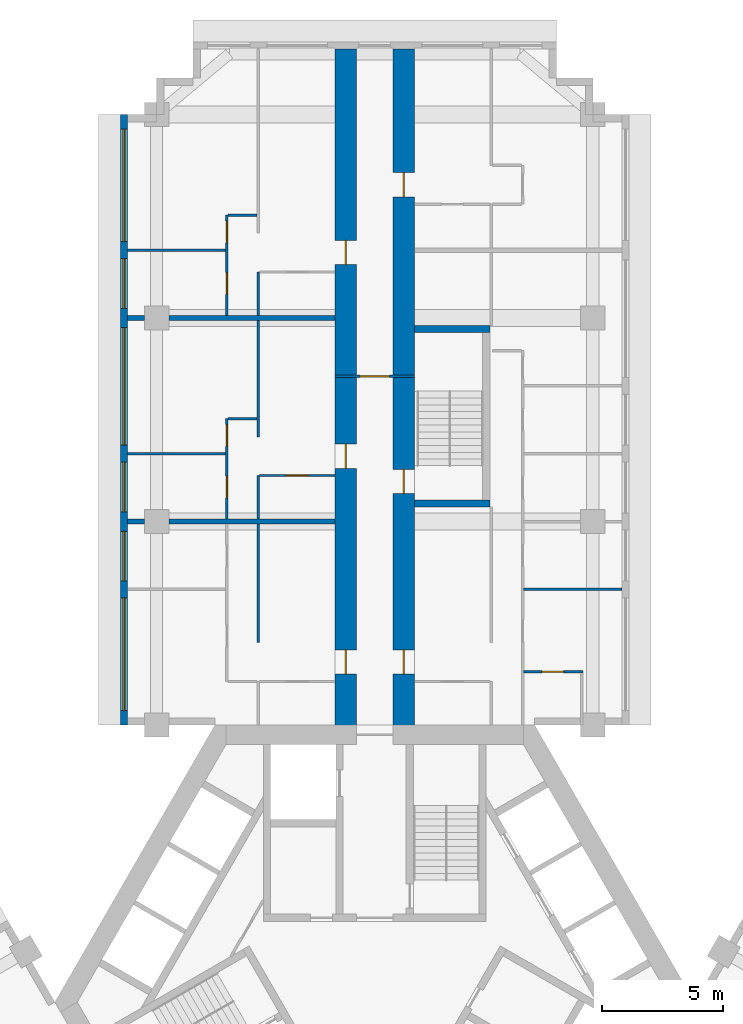
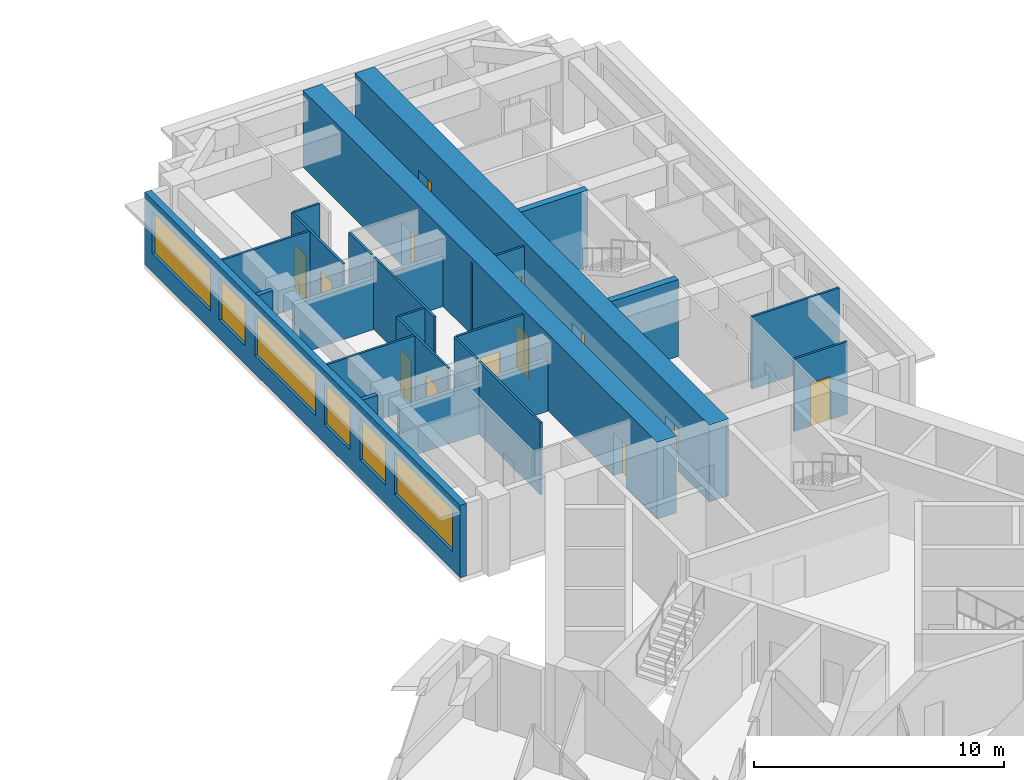
# One storey, part 9 of 14: 23 walls, 13 doors, 6 windows, 19 openings.
"""IFC4 building model written with IfcOpenShell, lengths in metres."""

from ifc_helpers import new_model, si_unit, direction, frame, frame_2d, origin, place, context, subcontext, project, spatial, rectangle, extrude, material, layer, layer_set, type_object, element, fill, save


model = new_model("IFC4")

# Units and contexts
model_context = context("Model", 3, precision=1e-05, world=origin(), true_north=direction((0.0, 1.0)))
body_context = subcontext(model_context, "Body", "Model", "MODEL_VIEW")
ifc_project = project(units=[si_unit("LENGTHUNIT", "METRE"), si_unit("AREAUNIT", "SQUARE_METRE"), si_unit("VOLUMEUNIT", "CUBIC_METRE"), si_unit("PLANEANGLEUNIT", "RADIAN"), si_unit("MASSUNIT", "GRAM", prefix="KILO")], contexts=[model_context])

# Site, building, storey
site_placement = place(None, origin())
site = spatial("IfcSite", under=ifc_project, at=site_placement, CompositionType="ELEMENT")
building_placement = place(site_placement, origin())
building = spatial("IfcBuilding", under=site, at=building_placement, Name="Impinga Residences", CompositionType="ELEMENT")
storey_placement = place(building_placement, frame((0.0, 0.0, 124.75)))
storey = spatial("IfcBuildingStorey", under=building, at=storey_placement, Name="L30", CompositionType="ELEMENT", Elevation=124.75)

# Wall, openings, doors
ifc_material_1 = material(Name="Concrete C60/75", Category="concrete")
ifc_layer_1 = layer(ifc_material_1, 0.89990234375)
ifc_layer_set_1 = layer_set([ifc_layer_1], Name="Concrete C60/75")
wall_type_1 = type_object("IfcWallType", Name="BW2 corridor buttress wall, L24 to L44 900", PredefinedType="SHEAR", material=ifc_layer_set_1)
wall_1_placement = place(storey_placement, frame((-1.199951171875, 11.031494140625, 0.0), z_axis=(0.0, 0.0, 1.0), x_axis=(0.0, 1.0, 0.0)))
wall_1 = element("IfcWall", 1, at=wall_1_placement, inside=storey, type_object=wall_type_1, Name="Corridor wall BW2 NC L30", PredefinedType="SHEAR", context=body_context, shape_type="SweptSolid", body=[
    extrude(rectangle(XDim=28.300048828125, YDim=0.89990234375, at=frame_2d((14.14990234375, 0.0))), origin(), (0.0, 0.0, 1.0), 3.75),
])
opening_1_placement = place(wall_1_placement, frame((2.5, 0.0, 0.0)))
opening_1 = element("IfcOpeningElement", 2, at=opening_1_placement, cuts=wall_1, Name="Opening D1", PredefinedType="OPENING", context=body_context, shape_type="SweptSolid", body=[
    extrude(rectangle(XDim=1.0, YDim=2.10009765625, at=frame_2d((0.5, 1.050048828125))), frame((0.0, 0.4599609375, 0.0), z_axis=(0.0, -1.0, 0.0), x_axis=(1.0, 0.0, 0.0)), (0.0, 0.0, 1.0), 0.919921875),
])
opening_2_placement = place(wall_1_placement, frame((11.0, 0.0, 0.0)))
opening_2 = element("IfcOpeningElement", 3, at=opening_2_placement, cuts=wall_1, Name="Opening D1", PredefinedType="OPENING", context=body_context, shape_type="SweptSolid", body=[
    extrude(rectangle(XDim=1.0, YDim=2.10009765625, at=frame_2d((0.5, 1.050048828125))), frame((0.0, 0.4599609375, 0.0), z_axis=(0.0, -1.0, 0.0), x_axis=(1.0, 0.0, 0.0)), (0.0, 0.0, 1.0), 0.919921875),
])
opening_3_placement = place(wall_1_placement, frame((19.39990234375, 0.0, 0.0)))
opening_3 = element("IfcOpeningElement", 4, at=opening_3_placement, cuts=wall_1, Name="Opening D1", PredefinedType="OPENING", context=body_context, shape_type="SweptSolid", body=[
    extrude(rectangle(XDim=1.0, YDim=2.10009765625, at=frame_2d((0.5, 1.050048828125))), frame((0.0, 0.4599609375, 0.0), z_axis=(0.0, -1.0, 0.0), x_axis=(1.0, 0.0, 0.0)), (0.0, 0.0, 1.0), 0.919921875),
])
ifc_material_2 = material(Name="Timber door set", Category="wood")
door_type_1 = type_object("IfcDoorType", Name="D1 apartment entrance door 1000x2100", OperationType="SINGLE_SWING_LEFT", PredefinedType="DOOR", material=ifc_material_2)
door_1_placement = place(opening_1_placement, origin())
door_1 = element("IfcDoor", 5, at=door_1_placement, inside=storey, type_object=door_type_1, Name="Apartment L30-NA1 entrance", OperationType="SINGLE_SWING_LEFT", OverallHeight=2.10009765625, OverallWidth=1.0, PredefinedType="DOOR", context=body_context, shape_type="SweptSolid", body=[
    extrude(rectangle(XDim=1.0, YDim=2.10009765625, at=frame_2d((0.5, 1.050048828125))), frame((0.0, 0.02490234375, 0.0), z_axis=(0.0, -1.0, 0.0), x_axis=(1.0, 0.0, 0.0)), (0.0, 0.0, 1.0), 0.050048828125),
])
fill(opening_1, door_1)
door_2_placement = place(opening_2_placement, origin())
door_2 = element("IfcDoor", 6, at=door_2_placement, inside=storey, type_object=door_type_1, Name="Apartment L30-NA2 entrance", OperationType="SINGLE_SWING_LEFT", OverallHeight=2.10009765625, OverallWidth=1.0, PredefinedType="DOOR", context=body_context, shape_type="SweptSolid", body=[
    extrude(rectangle(XDim=1.0, YDim=2.10009765625, at=frame_2d((0.5, 1.050048828125))), frame((0.0, 0.02490234375, 0.0), z_axis=(0.0, -1.0, 0.0), x_axis=(1.0, 0.0, 0.0)), (0.0, 0.0, 1.0), 0.050048828125),
])
fill(opening_2, door_2)
door_3_placement = place(opening_3_placement, origin())
door_3 = element("IfcDoor", 7, at=door_3_placement, inside=storey, type_object=door_type_1, Name="Apartment L30-NA3 entrance", OperationType="SINGLE_SWING_RIGHT", OverallHeight=2.10009765625, OverallWidth=1.0, PredefinedType="DOOR", context=body_context, shape_type="SweptSolid", body=[
    extrude(rectangle(XDim=1.0, YDim=2.10009765625, at=frame_2d((0.5, 1.050048828125))), frame((0.0, 0.02490234375, 0.0), z_axis=(0.0, -1.0, 0.0), x_axis=(1.0, 0.0, 0.0)), (0.0, 0.0, 1.0), 0.050048828125),
])
fill(opening_3, door_3)

wall_2_placement = place(storey_placement, frame((1.199951171875, 11.031494140625, 0.0), z_axis=(0.0, 0.0, 1.0), x_axis=(0.0, 1.0, 0.0)))
wall_2 = element("IfcWall", 8, at=wall_2_placement, inside=storey, type_object=wall_type_1, Name="Corridor wall BW2 ND L30", PredefinedType="SHEAR", context=body_context, shape_type="SweptSolid", body=[
    extrude(rectangle(XDim=28.300048828125, YDim=0.89990234375, at=frame_2d((14.14990234375, 0.0))), origin(), (0.0, 0.0, 1.0), 3.75),
])
opening_4_placement = place(wall_2_placement, frame((9.949951171875, 0.0, 0.0)))
opening_4 = element("IfcOpeningElement", 9, at=opening_4_placement, cuts=wall_2, Name="Opening D5", PredefinedType="OPENING", context=body_context, shape_type="SweptSolid", body=[
    extrude(rectangle(XDim=1.0, YDim=2.10009765625, at=frame_2d((0.5, 1.050048828125))), frame((0.0, 0.4599609375, 0.0), z_axis=(0.0, -1.0, 0.0), x_axis=(1.0, 0.0, 0.0)), (0.0, 0.0, 1.0), 0.919921875),
])
opening_5_placement = place(wall_2_placement, frame((2.5, 0.0, 0.0)))
opening_5 = element("IfcOpeningElement", 10, at=opening_5_placement, cuts=wall_2, Name="Opening D1", PredefinedType="OPENING", context=body_context, shape_type="SweptSolid", body=[
    extrude(rectangle(XDim=1.0, YDim=2.10009765625, at=frame_2d((0.5, 1.050048828125))), frame((0.0, 0.4599609375, 0.0), z_axis=(0.0, -1.0, 0.0), x_axis=(1.0, 0.0, 0.0)), (0.0, 0.0, 1.0), 0.919921875),
])
opening_6_placement = place(wall_2_placement, frame((22.199951171875, 0.0, 0.0)))
opening_6 = element("IfcOpeningElement", 11, at=opening_6_placement, cuts=wall_2, Name="Opening D1", PredefinedType="OPENING", context=body_context, shape_type="SweptSolid", body=[
    extrude(rectangle(XDim=1.0, YDim=2.10009765625, at=frame_2d((0.5, 1.050048828125))), frame((0.0, 0.4599609375, 0.0), z_axis=(0.0, -1.0, 0.0), x_axis=(1.0, 0.0, 0.0)), (0.0, 0.0, 1.0), 0.919921875),
])
door_4_placement = place(opening_5_placement, origin())
door_4 = element("IfcDoor", 12, at=door_4_placement, inside=storey, type_object=door_type_1, Name="Apartment L30-NF1 entrance", OperationType="SINGLE_SWING_LEFT", OverallHeight=2.10009765625, OverallWidth=1.0, PredefinedType="DOOR", context=body_context, shape_type="SweptSolid", body=[
    extrude(rectangle(XDim=1.0, YDim=2.10009765625, at=frame_2d((0.5, 1.050048828125))), frame((0.0, 0.02490234375, 0.0), z_axis=(0.0, -1.0, 0.0), x_axis=(1.0, 0.0, 0.0)), (0.0, 0.0, 1.0), 0.050048828125),
])
fill(opening_5, door_4)
door_5_placement = place(opening_6_placement, origin())
door_5 = element("IfcDoor", 13, at=door_5_placement, inside=storey, type_object=door_type_1, Name="Apartment L30-NF2 entrance", OperationType="SINGLE_SWING_RIGHT", OverallHeight=2.10009765625, OverallWidth=1.0, PredefinedType="DOOR", context=body_context, shape_type="SweptSolid", body=[
    extrude(rectangle(XDim=1.0, YDim=2.10009765625, at=frame_2d((0.5, 1.050048828125))), frame((0.0, 0.02490234375, 0.0), z_axis=(0.0, -1.0, 0.0), x_axis=(1.0, 0.0, 0.0)), (0.0, 0.0, 1.0), 0.050048828125),
])
fill(opening_6, door_5)
door_type_2 = type_object("IfcDoorType", Name="D5 stair door 1000x2100", OperationType="SINGLE_SWING_LEFT", PredefinedType="DOOR", material=ifc_material_2)
door_6_placement = place(opening_4_placement, origin())
door_6 = element("IfcDoor", 14, at=door_6_placement, inside=storey, type_object=door_type_2, Name="Wing stair door N", OperationType="SINGLE_SWING_LEFT", OverallHeight=2.10009765625, OverallWidth=1.0, PredefinedType="DOOR", context=body_context, shape_type="SweptSolid", body=[
    extrude(rectangle(XDim=1.0, YDim=2.10009765625, at=frame_2d((0.5, 1.050048828125))), frame((0.0, 0.02490234375, 0.0), z_axis=(0.0, -1.0, 0.0), x_axis=(1.0, 0.0, 0.0)), (0.0, 0.0, 1.0), 0.050048828125),
])
fill(opening_4, door_6)

# Wall, opening, door
ifc_material_3 = material(Name="Concrete blockwork", Category="masonry")
ifc_layer_2 = layer(ifc_material_3, 0.10009765625)
ifc_layer_set_2 = layer_set([ifc_layer_2], Name="CP1 core room partition, blockwork 100")
wall_type_2 = type_object("IfcWallType", Name="CP1 core room partition, blockwork 100", PredefinedType="PARTITIONING", material=ifc_layer_set_2)
wall_3_placement = place(storey_placement, frame((-1.64990234375, 25.83154296875, 0.0), z_axis=(0.0, 0.0, 1.0), x_axis=(1.0, 0.0, 0.0)))
wall_3 = element("IfcWall", 15, at=wall_3_placement, inside=storey, type_object=wall_type_2, Name="Core room partition, blockwork L30:N:PLB", PredefinedType="PARTITIONING", context=body_context, shape_type="SweptSolid", body=[
    extrude(rectangle(XDim=3.2998046875, YDim=0.10009765625, at=frame_2d((1.64990234375, 0.0))), origin(), (0.0, 0.0, 1.0), 3.530029296875),
])
opening_7_placement = place(wall_3_placement, frame((1.050048828125, 0.0, 0.0)))
opening_7 = element("IfcOpeningElement", 16, at=opening_7_placement, cuts=wall_3, Name="Opening D3", PredefinedType="OPENING", context=body_context, shape_type="SweptSolid", body=[
    extrude(rectangle(XDim=1.199951171875, YDim=2.10009765625, at=frame_2d((0.60009765625, 1.050048828125))), frame((0.0, 0.06005859375, 0.0), z_axis=(0.0, -1.0, 0.0), x_axis=(1.0, 0.0, 0.0)), (0.0, 0.0, 1.0), 0.1201171875),
])
door_type_3 = type_object("IfcDoorType", Name="D3 room door, leaf and a half 1200x2100", OperationType="DOUBLE_SWING_LEFT", PredefinedType="DOOR", material=ifc_material_2)
door_7_placement = place(opening_7_placement, origin())
door_7 = element("IfcDoor", 17, at=door_7_placement, inside=storey, type_object=door_type_3, Name="Private lobby door N", OperationType="DOUBLE_SWING_LEFT", OverallHeight=2.10009765625, OverallWidth=1.199951171875, PredefinedType="DOOR", context=body_context, shape_type="SweptSolid", body=[
    extrude(rectangle(XDim=1.199951171875, YDim=2.10009765625, at=frame_2d((0.60009765625, 1.050048828125))), frame((0.0, 0.02490234375, 0.0), z_axis=(0.0, -1.0, 0.0), x_axis=(1.0, 0.0, 0.0)), (0.0, 0.0, 1.0), 0.050048828125),
])
fill(opening_7, door_7)

# Wall, openings, windows
ifc_material_4 = material(Name="Terracotta rainscreen on blockwork", Category="masonry")
ifc_layer_3 = layer(ifc_material_4, 0.300048828125)
ifc_layer_set_3 = layer_set([ifc_layer_3], Name="EW1 external wall, terracotta rainscreen on blockwork 300")
wall_type_3 = type_object("IfcWallType", Name="EW1 external wall, terracotta rainscreen on blockwork 300", PredefinedType="SOLIDWALL", material=ifc_layer_set_3)
wall_4_placement = place(storey_placement, frame((-10.35009765625, 11.431640625, 0.0), z_axis=(0.0, 0.0, 1.0), x_axis=(0.0, 1.0, 0.0)))
wall_4 = element("IfcWall", 18, at=wall_4_placement, inside=storey, type_object=wall_type_3, Name="External wall EW1 L30", PredefinedType="SOLIDWALL", context=body_context, shape_type="SweptSolid", body=[
    extrude(rectangle(XDim=25.199951171875, YDim=0.300048828125, at=frame_2d((12.60009765625, 0.0))), origin(), (0.0, 0.0, 1.0), 3.530029296875),
])
opening_8_placement = place(wall_4_placement, frame((0.60009765625, 0.0, 0.89990234375)))
opening_8 = element("IfcOpeningElement", 19, at=opening_8_placement, cuts=wall_4, Name="Opening W10", PredefinedType="OPENING", context=body_context, shape_type="SweptSolid", body=[
    extrude(rectangle(XDim=4.64990234375, YDim=2.050048828125, at=frame_2d((2.324951171875, 1.02490234375))), frame((0.0, 0.159912109375, 0.0), z_axis=(0.0, -1.0, 0.0), x_axis=(1.0, 0.0, 0.0)), (0.0, 0.0, 1.0), 0.320068359375),
])
opening_9_placement = place(wall_4_placement, frame((5.949951171875, 0.0, 0.89990234375)))
opening_9 = element("IfcOpeningElement", 20, at=opening_9_placement, cuts=wall_4, Name="Opening W14", PredefinedType="OPENING", context=body_context, shape_type="SweptSolid", body=[
    extrude(rectangle(XDim=2.050048828125, YDim=2.050048828125, at=frame_2d((1.02490234375, 1.02490234375))), frame((0.0, 0.159912109375, 0.0), z_axis=(0.0, -1.0, 0.0), x_axis=(1.0, 0.0, 0.0)), (0.0, 0.0, 1.0), 0.320068359375),
])
opening_10_placement = place(wall_4_placement, frame((8.800048828125, 0.0, 0.89990234375)))
opening_10 = element("IfcOpeningElement", 21, at=opening_10_placement, cuts=wall_4, Name="Opening W14", PredefinedType="OPENING", context=body_context, shape_type="SweptSolid", body=[
    extrude(rectangle(XDim=2.050048828125, YDim=2.050048828125, at=frame_2d((1.02490234375, 1.02490234375))), frame((0.0, 0.159912109375, 0.0), z_axis=(0.0, -1.0, 0.0), x_axis=(1.0, 0.0, 0.0)), (0.0, 0.0, 1.0), 0.320068359375),
])
opening_11_placement = place(wall_4_placement, frame((11.550048828125, 0.0, 0.89990234375)))
opening_11 = element("IfcOpeningElement", 22, at=opening_11_placement, cuts=wall_4, Name="Opening W6", PredefinedType="OPENING", context=body_context, shape_type="SweptSolid", body=[
    extrude(rectangle(XDim=4.85009765625, YDim=2.050048828125, at=frame_2d((2.425048828125, 1.02490234375))), frame((0.0, 0.159912109375, 0.0), z_axis=(0.0, -1.0, 0.0), x_axis=(1.0, 0.0, 0.0)), (0.0, 0.0, 1.0), 0.320068359375),
])
opening_12_placement = place(wall_4_placement, frame((17.199951171875, 0.0, 0.89990234375)))
opening_12 = element("IfcOpeningElement", 23, at=opening_12_placement, cuts=wall_4, Name="Opening W14", PredefinedType="OPENING", context=body_context, shape_type="SweptSolid", body=[
    extrude(rectangle(XDim=2.050048828125, YDim=2.050048828125, at=frame_2d((1.02490234375, 1.02490234375))), frame((0.0, 0.159912109375, 0.0), z_axis=(0.0, -1.0, 0.0), x_axis=(1.0, 0.0, 0.0)), (0.0, 0.0, 1.0), 0.320068359375),
])
opening_13_placement = place(wall_4_placement, frame((19.949951171875, 0.0, 0.89990234375)))
opening_13 = element("IfcOpeningElement", 24, at=opening_13_placement, cuts=wall_4, Name="Opening W10", PredefinedType="OPENING", context=body_context, shape_type="SweptSolid", body=[
    extrude(rectangle(XDim=4.64990234375, YDim=2.050048828125, at=frame_2d((2.324951171875, 1.02490234375))), frame((0.0, 0.159912109375, 0.0), z_axis=(0.0, -1.0, 0.0), x_axis=(1.0, 0.0, 0.0)), (0.0, 0.0, 1.0), 0.320068359375),
])
ifc_material_5 = material(Name="Aluminium window, clear double glazing", Category="aluminium")
window_type_1 = type_object("IfcWindowType", Name="W10 ribbon window 4650x2050", PartitioningType="SINGLE_PANEL", PredefinedType="WINDOW", material=ifc_material_5)
window_1_placement = place(opening_8_placement, origin())
window_1 = element("IfcWindow", 25, at=window_1_placement, inside=storey, type_object=window_type_1, Name="Window L30", OverallHeight=2.050048828125, OverallWidth=4.64990234375, PartitioningType="SINGLE_PANEL", PredefinedType="WINDOW", context=body_context, shape_type="SweptSolid", body=[
    extrude(rectangle(XDim=4.64990234375, YDim=2.050048828125, at=frame_2d((2.324951171875, 1.02490234375))), frame((0.0, 0.030029296875, 0.0), z_axis=(0.0, -1.0, 0.0), x_axis=(1.0, 0.0, 0.0)), (0.0, 0.0, 1.0), 0.06005859375),
])
fill(opening_8, window_1)
window_2_placement = place(opening_13_placement, origin())
window_2 = element("IfcWindow", 26, at=window_2_placement, inside=storey, type_object=window_type_1, Name="Window L30", OverallHeight=2.050048828125, OverallWidth=4.64990234375, PartitioningType="SINGLE_PANEL", PredefinedType="WINDOW", context=body_context, shape_type="SweptSolid", body=[
    extrude(rectangle(XDim=4.64990234375, YDim=2.050048828125, at=frame_2d((2.324951171875, 1.02490234375))), frame((0.0, 0.030029296875, 0.0), z_axis=(0.0, -1.0, 0.0), x_axis=(1.0, 0.0, 0.0)), (0.0, 0.0, 1.0), 0.06005859375),
])
fill(opening_13, window_2)
window_type_2 = type_object("IfcWindowType", Name="W14 ribbon window 2050x2050", PartitioningType="SINGLE_PANEL", PredefinedType="WINDOW", material=ifc_material_5)
window_3_placement = place(opening_9_placement, origin())
window_3 = element("IfcWindow", 27, at=window_3_placement, inside=storey, type_object=window_type_2, Name="Window L30", OverallHeight=2.050048828125, OverallWidth=2.050048828125, PartitioningType="SINGLE_PANEL", PredefinedType="WINDOW", context=body_context, shape_type="SweptSolid", body=[
    extrude(rectangle(XDim=2.050048828125, YDim=2.050048828125, at=frame_2d((1.02490234375, 1.02490234375))), frame((0.0, 0.030029296875, 0.0), z_axis=(0.0, -1.0, 0.0), x_axis=(1.0, 0.0, 0.0)), (0.0, 0.0, 1.0), 0.06005859375),
])
fill(opening_9, window_3)
window_4_placement = place(opening_10_placement, origin())
window_4 = element("IfcWindow", 28, at=window_4_placement, inside=storey, type_object=window_type_2, Name="Window L30", OverallHeight=2.050048828125, OverallWidth=2.050048828125, PartitioningType="SINGLE_PANEL", PredefinedType="WINDOW", context=body_context, shape_type="SweptSolid", body=[
    extrude(rectangle(XDim=2.050048828125, YDim=2.050048828125, at=frame_2d((1.02490234375, 1.02490234375))), frame((0.0, 0.030029296875, 0.0), z_axis=(0.0, -1.0, 0.0), x_axis=(1.0, 0.0, 0.0)), (0.0, 0.0, 1.0), 0.06005859375),
])
fill(opening_10, window_4)
window_5_placement = place(opening_12_placement, origin())
window_5 = element("IfcWindow", 29, at=window_5_placement, inside=storey, type_object=window_type_2, Name="Window L30", OverallHeight=2.050048828125, OverallWidth=2.050048828125, PartitioningType="SINGLE_PANEL", PredefinedType="WINDOW", context=body_context, shape_type="SweptSolid", body=[
    extrude(rectangle(XDim=2.050048828125, YDim=2.050048828125, at=frame_2d((1.02490234375, 1.02490234375))), frame((0.0, 0.030029296875, 0.0), z_axis=(0.0, -1.0, 0.0), x_axis=(1.0, 0.0, 0.0)), (0.0, 0.0, 1.0), 0.06005859375),
])
fill(opening_12, window_5)
window_type_3 = type_object("IfcWindowType", Name="W6 ribbon window 4850x2050", PartitioningType="SINGLE_PANEL", PredefinedType="WINDOW", material=ifc_material_5)
window_6_placement = place(opening_11_placement, origin())
window_6 = element("IfcWindow", 30, at=window_6_placement, inside=storey, type_object=window_type_3, Name="Window L30", OverallHeight=2.050048828125, OverallWidth=4.85009765625, PartitioningType="SINGLE_PANEL", PredefinedType="WINDOW", context=body_context, shape_type="SweptSolid", body=[
    extrude(rectangle(XDim=4.85009765625, YDim=2.050048828125, at=frame_2d((2.425048828125, 1.02490234375))), frame((0.0, 0.030029296875, 0.0), z_axis=(0.0, -1.0, 0.0), x_axis=(1.0, 0.0, 0.0)), (0.0, 0.0, 1.0), 0.06005859375),
])
fill(opening_11, window_6)

# Walls
ifc_material_6 = material(Name="Gypsum board on steel studs", Category="steel")
ifc_layer_4 = layer(ifc_material_6, 0.10009765625)
ifc_layer_set_4 = layer_set([ifc_layer_4], Name="Gypsum board on steel studs")
wall_type_4 = type_object("IfcWallType", Name="IP1 partition 100", PredefinedType="PARTITIONING", material=ifc_layer_set_4)
wall_5_placement = place(storey_placement, frame((-4.800048828125, 14.83154296875, 0.0), z_axis=(0.0, 0.0, 1.0), x_axis=(0.0, 1.0, 0.0)))
element("IfcWall", 31, at=wall_5_placement, inside=storey, type_object=wall_type_4, Name="Partition L30-NA1:DIV1", PredefinedType="PARTITIONING", context=body_context, shape_type="SweptSolid", body=[
    extrude(rectangle(XDim=4.89990234375, YDim=0.10009765625, at=frame_2d((2.449951171875, 0.0))), origin(), (0.0, 0.0, 1.0), 3.530029296875),
])
wall_6_placement = place(storey_placement, frame((-4.800048828125, 19.931640625, 0.0), z_axis=(0.0, 0.0, 1.0), x_axis=(0.0, 1.0, 0.0)))
element("IfcWall", 32, at=wall_6_placement, inside=storey, type_object=wall_type_4, Name="Partition L30-NA2:DIV0", PredefinedType="PARTITIONING", context=body_context, shape_type="SweptSolid", body=[
    extrude(rectangle(XDim=1.7998046875, YDim=0.10009765625, at=frame_2d((0.89990234375, 0.0))), origin(), (0.0, 0.0, 1.0), 3.530029296875),
])
wall_7_placement = place(storey_placement, frame((-4.800048828125, 23.33154296875, 0.0), z_axis=(0.0, 0.0, 1.0), x_axis=(0.0, 1.0, 0.0)))
element("IfcWall", 33, at=wall_7_placement, inside=storey, type_object=wall_type_4, Name="Partition L30-NA2:DIV1", PredefinedType="PARTITIONING", context=body_context, shape_type="SweptSolid", body=[
    extrude(rectangle(XDim=4.800048828125, YDim=0.10009765625, at=frame_2d((2.39990234375, 0.0))), origin(), (0.0, 0.0, 1.0), 3.530029296875),
])

# Wall, openings, doors
wall_8_placement = place(storey_placement, frame((-6.10009765625, 19.931640625, 0.0), z_axis=(0.0, 0.0, 1.0), x_axis=(0.0, 1.0, 0.0)))
wall_8 = element("IfcWall", 34, at=wall_8_placement, inside=storey, type_object=wall_type_4, Name="Partition L30-NA2:STRIP", PredefinedType="PARTITIONING", context=body_context, shape_type="SweptSolid", body=[
    extrude(rectangle(XDim=4.14990234375, YDim=0.10009765625, at=frame_2d((2.074951171875, 0.0))), origin(), (0.0, 0.0, 1.0), 3.530029296875),
])
opening_14_placement = place(wall_8_placement, frame((0.875, 0.0, 0.0)))
opening_14 = element("IfcOpeningElement", 35, at=opening_14_placement, cuts=wall_8, Name="Opening D2", PredefinedType="OPENING", context=body_context, shape_type="SweptSolid", body=[
    extrude(rectangle(XDim=0.89990234375, YDim=2.10009765625, at=frame_2d((0.449951171875, 1.050048828125))), frame((0.0, 0.06005859375, 0.0), z_axis=(0.0, -1.0, 0.0), x_axis=(1.0, 0.0, 0.0)), (0.0, 0.0, 1.0), 0.1201171875),
])
opening_15_placement = place(wall_8_placement, frame((3.0, 0.0, 0.0)))
opening_15 = element("IfcOpeningElement", 36, at=opening_15_placement, cuts=wall_8, Name="Opening D2", PredefinedType="OPENING", context=body_context, shape_type="SweptSolid", body=[
    extrude(rectangle(XDim=0.89990234375, YDim=2.10009765625, at=frame_2d((0.449951171875, 1.050048828125))), frame((0.0, 0.06005859375, 0.0), z_axis=(0.0, -1.0, 0.0), x_axis=(1.0, 0.0, 0.0)), (0.0, 0.0, 1.0), 0.1201171875),
])
door_type_4 = type_object("IfcDoorType", Name="D2 internal door 900x2100", OperationType="SINGLE_SWING_LEFT", PredefinedType="DOOR", material=ifc_material_2)
door_8_placement = place(opening_14_placement, origin())
door_8 = element("IfcDoor", 37, at=door_8_placement, inside=storey, type_object=door_type_4, Name="Apartment L30-NA2 room door", OperationType="SINGLE_SWING_LEFT", OverallHeight=2.10009765625, OverallWidth=0.89990234375, PredefinedType="DOOR", context=body_context, shape_type="SweptSolid", body=[
    extrude(rectangle(XDim=0.89990234375, YDim=2.10009765625, at=frame_2d((0.449951171875, 1.050048828125))), frame((0.0, 0.02490234375, 0.0), z_axis=(0.0, -1.0, 0.0), x_axis=(1.0, 0.0, 0.0)), (0.0, 0.0, 1.0), 0.050048828125),
])
fill(opening_14, door_8)
door_9_placement = place(opening_15_placement, origin())
door_9 = element("IfcDoor", 38, at=door_9_placement, inside=storey, type_object=door_type_4, Name="Apartment L30-NA2 room door", OperationType="SINGLE_SWING_RIGHT", OverallHeight=2.10009765625, OverallWidth=0.89990234375, PredefinedType="DOOR", context=body_context, shape_type="SweptSolid", body=[
    extrude(rectangle(XDim=0.89990234375, YDim=2.10009765625, at=frame_2d((0.449951171875, 1.050048828125))), frame((0.0, 0.02490234375, 0.0), z_axis=(0.0, -1.0, 0.0), x_axis=(1.0, 0.0, 0.0)), (0.0, 0.0, 1.0), 0.050048828125),
])
fill(opening_15, door_9)

# Wall
wall_9_placement = place(storey_placement, frame((-4.85009765625, 24.08154296875, 0.0), z_axis=(0.0, 0.0, 1.0), x_axis=(-1.0, 0.0, 0.0)))
element("IfcWall", 39, at=wall_9_placement, inside=storey, type_object=wall_type_4, Name="Partition L30-NA2:SE1", PredefinedType="PARTITIONING", context=body_context, shape_type="SweptSolid", body=[
    extrude(rectangle(XDim=1.199951171875, YDim=0.10009765625, at=frame_2d((0.60009765625, 0.0))), origin(), (0.0, 0.0, 1.0), 3.530029296875),
])

# Wall, opening, door
wall_10_placement = place(storey_placement, frame((-1.64990234375, 21.7314453125, 0.0), z_axis=(0.0, 0.0, 1.0), x_axis=(-1.0, 0.0, 0.0)))
wall_10 = element("IfcWall", 40, at=wall_10_placement, inside=storey, type_object=wall_type_4, Name="Partition L30-NA2:IB1", PredefinedType="PARTITIONING", context=body_context, shape_type="SweptSolid", body=[
    extrude(rectangle(XDim=3.10009765625, YDim=0.10009765625, at=frame_2d((1.550048828125, 0.0))), origin(), (0.0, 0.0, 1.0), 3.530029296875),
])
opening_16_placement = place(wall_10_placement, frame((1.10009765625, 0.0, 0.0)))
opening_16 = element("IfcOpeningElement", 41, at=opening_16_placement, cuts=wall_10, Name="Opening D2", PredefinedType="OPENING", context=body_context, shape_type="SweptSolid", body=[
    extrude(rectangle(XDim=0.89990234375, YDim=2.10009765625, at=frame_2d((0.449951171875, 1.050048828125))), frame((0.0, 0.06005859375, 0.0), z_axis=(0.0, -1.0, 0.0), x_axis=(1.0, 0.0, 0.0)), (0.0, 0.0, 1.0), 0.1201171875),
])
door_10_placement = place(opening_16_placement, origin())
door_10 = element("IfcDoor", 42, at=door_10_placement, inside=storey, type_object=door_type_4, Name="Apartment L30-NA2 bathroom door", OperationType="SINGLE_SWING_LEFT", OverallHeight=2.10009765625, OverallWidth=0.89990234375, PredefinedType="DOOR", context=body_context, shape_type="SweptSolid", body=[
    extrude(rectangle(XDim=0.89990234375, YDim=2.10009765625, at=frame_2d((0.449951171875, 1.050048828125))), frame((0.0, 0.02490234375, 0.0), z_axis=(0.0, -1.0, 0.0), x_axis=(1.0, 0.0, 0.0)), (0.0, 0.0, 1.0), 0.050048828125),
])
fill(opening_16, door_10)

# Walls
wall_11_placement = place(storey_placement, frame((-6.14990234375, 22.631591796875, 0.0), z_axis=(0.0, 0.0, 1.0), x_axis=(-1.0, 0.0, 0.0)))
element("IfcWall", 43, at=wall_11_placement, inside=storey, type_object=wall_type_4, Name="Partition L30-NA2:OB1", PredefinedType="PARTITIONING", context=body_context, shape_type="SweptSolid", body=[
    extrude(rectangle(XDim=4.050048828125, YDim=0.10009765625, at=frame_2d((2.02490234375, 0.0))), origin(), (0.0, 0.0, 1.0), 3.530029296875),
])
wall_12_placement = place(storey_placement, frame((-4.800048828125, 28.33154296875, 0.0), z_axis=(0.0, 0.0, 1.0), x_axis=(0.0, 1.0, 0.0)))
element("IfcWall", 44, at=wall_12_placement, inside=storey, type_object=wall_type_4, Name="Partition L30-NA3:DIV0", PredefinedType="PARTITIONING", context=body_context, shape_type="SweptSolid", body=[
    extrude(rectangle(XDim=1.800048828125, YDim=0.10009765625, at=frame_2d((0.89990234375, 0.0))), origin(), (0.0, 0.0, 1.0), 3.530029296875),
])

# Wall, openings, doors
wall_13_placement = place(storey_placement, frame((-6.10009765625, 28.33154296875, 0.0), z_axis=(0.0, 0.0, 1.0), x_axis=(0.0, 1.0, 0.0)))
wall_13 = element("IfcWall", 45, at=wall_13_placement, inside=storey, type_object=wall_type_4, Name="Partition L30-NA3:STRIP", PredefinedType="PARTITIONING", context=body_context, shape_type="SweptSolid", body=[
    extrude(rectangle(XDim=4.14990234375, YDim=0.10009765625, at=frame_2d((2.074951171875, 0.0))), origin(), (0.0, 0.0, 1.0), 3.530029296875),
])
opening_17_placement = place(wall_13_placement, frame((0.875, 0.0, 0.0)))
opening_17 = element("IfcOpeningElement", 46, at=opening_17_placement, cuts=wall_13, Name="Opening D2", PredefinedType="OPENING", context=body_context, shape_type="SweptSolid", body=[
    extrude(rectangle(XDim=0.89990234375, YDim=2.10009765625, at=frame_2d((0.449951171875, 1.050048828125))), frame((0.0, 0.06005859375, 0.0), z_axis=(0.0, -1.0, 0.0), x_axis=(1.0, 0.0, 0.0)), (0.0, 0.0, 1.0), 0.1201171875),
])
opening_18_placement = place(wall_13_placement, frame((3.0, 0.0, 0.0)))
opening_18 = element("IfcOpeningElement", 47, at=opening_18_placement, cuts=wall_13, Name="Opening D2", PredefinedType="OPENING", context=body_context, shape_type="SweptSolid", body=[
    extrude(rectangle(XDim=0.89990234375, YDim=2.10009765625, at=frame_2d((0.449951171875, 1.050048828125))), frame((0.0, 0.06005859375, 0.0), z_axis=(0.0, -1.0, 0.0), x_axis=(1.0, 0.0, 0.0)), (0.0, 0.0, 1.0), 0.1201171875),
])
door_11_placement = place(opening_17_placement, origin())
door_11 = element("IfcDoor", 48, at=door_11_placement, inside=storey, type_object=door_type_4, Name="Apartment L30-NA3 room door", OperationType="SINGLE_SWING_LEFT", OverallHeight=2.10009765625, OverallWidth=0.89990234375, PredefinedType="DOOR", context=body_context, shape_type="SweptSolid", body=[
    extrude(rectangle(XDim=0.89990234375, YDim=2.10009765625, at=frame_2d((0.449951171875, 1.050048828125))), frame((0.0, 0.02490234375, 0.0), z_axis=(0.0, -1.0, 0.0), x_axis=(1.0, 0.0, 0.0)), (0.0, 0.0, 1.0), 0.050048828125),
])
fill(opening_17, door_11)
door_12_placement = place(opening_18_placement, origin())
door_12 = element("IfcDoor", 49, at=door_12_placement, inside=storey, type_object=door_type_4, Name="Apartment L30-NA3 room door", OperationType="SINGLE_SWING_RIGHT", OverallHeight=2.10009765625, OverallWidth=0.89990234375, PredefinedType="DOOR", context=body_context, shape_type="SweptSolid", body=[
    extrude(rectangle(XDim=0.89990234375, YDim=2.10009765625, at=frame_2d((0.449951171875, 1.050048828125))), frame((0.0, 0.02490234375, 0.0), z_axis=(0.0, -1.0, 0.0), x_axis=(1.0, 0.0, 0.0)), (0.0, 0.0, 1.0), 0.050048828125),
])
fill(opening_18, door_12)

# Walls
wall_14_placement = place(storey_placement, frame((-4.85009765625, 32.4814453125, 0.0), z_axis=(0.0, 0.0, 1.0), x_axis=(-1.0, 0.0, 0.0)))
element("IfcWall", 50, at=wall_14_placement, inside=storey, type_object=wall_type_4, Name="Partition L30-NA3:SE1", PredefinedType="PARTITIONING", context=body_context, shape_type="SweptSolid", body=[
    extrude(rectangle(XDim=1.199951171875, YDim=0.10009765625, at=frame_2d((0.60009765625, 0.0))), origin(), (0.0, 0.0, 1.0), 3.530029296875),
])
for number, where, z_axis, x_axis, name in (
    (51, (-6.14990234375, 31.031494140625, 0.0), (0.0, 0.0, 1.0), (-1.0, 0.0, 0.0), "Partition L30-NA3:OB1"),
    (52, (6.14990234375, 17.031494140625, 0.0), (0.0, 0.0, 1.0), (1.0, 0.0, 0.0), "Partition L30-NF1:OB1"),
):
    element("IfcWall", number, at=place(storey_placement, frame(where, z_axis=z_axis, x_axis=x_axis)), inside=storey, type_object=wall_type_4, Name=name, PredefinedType="PARTITIONING", context=body_context, shape_type="SweptSolid", body=[
        extrude(rectangle(XDim=4.050048828125, YDim=0.10009765625, at=frame_2d((2.02490234375, 0.0))), origin(), (0.0, 0.0, 1.0), 3.530029296875),
    ])

# Wall, opening, door
wall_15_placement = place(storey_placement, frame((6.14990234375, 13.631591796875, 0.0), z_axis=(0.0, 0.0, 1.0), x_axis=(1.0, 0.0, 0.0)))
wall_15 = element("IfcWall", 53, at=wall_15_placement, inside=storey, type_object=wall_type_4, Name="Partition L30-NF1:EN1", PredefinedType="PARTITIONING", context=body_context, shape_type="SweptSolid", body=[
    extrude(rectangle(XDim=2.4501953125, YDim=0.10009765625, at=frame_2d((1.22509765625, 0.0))), origin(), (0.0, 0.0, 1.0), 3.530029296875),
])
opening_19_placement = place(wall_15_placement, frame((0.75, 0.0, 0.0)))
opening_19 = element("IfcOpeningElement", 54, at=opening_19_placement, cuts=wall_15, Name="Opening D2", PredefinedType="OPENING", context=body_context, shape_type="SweptSolid", body=[
    extrude(rectangle(XDim=0.89990234375, YDim=2.10009765625, at=frame_2d((0.449951171875, 1.050048828125))), frame((0.0, 0.06005859375, 0.0), z_axis=(0.0, -1.0, 0.0), x_axis=(1.0, 0.0, 0.0)), (0.0, 0.0, 1.0), 0.1201171875),
])
door_13_placement = place(opening_19_placement, origin())
door_13 = element("IfcDoor", 55, at=door_13_placement, inside=storey, type_object=door_type_4, Name="Apartment L30-NF1 en-suite door", OperationType="SINGLE_SWING_LEFT", OverallHeight=2.10009765625, OverallWidth=0.89990234375, PredefinedType="DOOR", context=body_context, shape_type="SweptSolid", body=[
    extrude(rectangle(XDim=0.89990234375, YDim=2.10009765625, at=frame_2d((0.449951171875, 1.050048828125))), frame((0.0, 0.02490234375, 0.0), z_axis=(0.0, -1.0, 0.0), x_axis=(1.0, 0.0, 0.0)), (0.0, 0.0, 1.0), 0.050048828125),
])
fill(opening_19, door_13)

# Walls
ifc_layer_5 = layer(ifc_material_3, 0.199951171875)
ifc_layer_set_5 = layer_set([ifc_layer_5], Name="PW1 party wall between apartments 200")
wall_type_5 = type_object("IfcWallType", Name="PW1 party wall between apartments 200", PredefinedType="SOLIDWALL", material=ifc_layer_set_5)
wall_16_placement = place(storey_placement, frame((-1.64990234375, 19.83154296875, 0.0), z_axis=(0.0, 0.0, 1.0), x_axis=(-1.0, 0.0, 0.0)))
element("IfcWall", 56, at=wall_16_placement, inside=storey, type_object=wall_type_5, Name="Party wall between apartments L30-NA1:PARTY", PredefinedType="SOLIDWALL", context=body_context, shape_type="SweptSolid", body=[
    extrude(rectangle(XDim=6.85009765625, YDim=0.199951171875, at=frame_2d((3.425048828125, 0.0))), origin(), (0.0, 0.0, 1.0), 2.47998046875),
])
wall_17_placement = place(storey_placement, frame((-9.5, 19.83154296875, 0.0), z_axis=(0.0, 0.0, 1.0), x_axis=(-1.0, 0.0, 0.0)))
element("IfcWall", 57, at=wall_17_placement, inside=storey, type_object=wall_type_5, Name="Party wall between apartments L30-NA1:PARTYb", PredefinedType="SOLIDWALL", context=body_context, shape_type="SweptSolid", body=[
    extrude(rectangle(XDim=0.699951171875, YDim=0.199951171875, at=frame_2d((0.35009765625, 0.0))), origin(), (0.0, 0.0, 1.0), 3.530029296875),
])
wall_18_placement = place(storey_placement, frame((-1.64990234375, 28.2314453125, 0.0), z_axis=(0.0, 0.0, 1.0), x_axis=(-1.0, 0.0, 0.0)))
element("IfcWall", 58, at=wall_18_placement, inside=storey, type_object=wall_type_5, Name="Party wall between apartments L30-NA2:PARTY", PredefinedType="SOLIDWALL", context=body_context, shape_type="SweptSolid", body=[
    extrude(rectangle(XDim=6.85009765625, YDim=0.199951171875, at=frame_2d((3.425048828125, 0.0))), origin(), (0.0, 0.0, 1.0), 2.47998046875),
])
wall_19_placement = place(storey_placement, frame((-9.5, 28.2314453125, 0.0), z_axis=(0.0, 0.0, 1.0), x_axis=(-1.0, 0.0, 0.0)))
element("IfcWall", 59, at=wall_19_placement, inside=storey, type_object=wall_type_5, Name="Party wall between apartments L30-NA2:PARTYb", PredefinedType="SOLIDWALL", context=body_context, shape_type="SweptSolid", body=[
    extrude(rectangle(XDim=0.699951171875, YDim=0.199951171875, at=frame_2d((0.35009765625, 0.0))), origin(), (0.0, 0.0, 1.0), 3.530029296875),
])
ifc_layer_6 = layer(ifc_material_1, 0.300048828125)
ifc_layer_set_6 = layer_set([ifc_layer_6], Name="Concrete C60/75")
wall_type_6 = type_object("IfcWallType", Name="SE1 wing stair enclosure wall 300", PredefinedType="SOLIDWALL", material=ifc_layer_set_6)
for number, where, z_axis, x_axis, name in (
    (60, (1.64990234375, 20.58154296875, 0.0), (0.0, 0.0, 1.0), (1.0, 0.0, 0.0), "Stair enclosure wall SE1 N END0 L30"),
    (61, (1.64990234375, 27.781494140625, 0.0), (0.0, 0.0, 1.0), (1.0, 0.0, 0.0), "Stair enclosure wall SE1 N END1 L30"),
):
    element("IfcWall", number, at=place(storey_placement, frame(where, z_axis=z_axis, x_axis=x_axis)), inside=storey, type_object=wall_type_6, Name=name, PredefinedType="SOLIDWALL", context=body_context, shape_type="SweptSolid", body=[
        extrude(rectangle(XDim=3.10009765625, YDim=0.300048828125, at=frame_2d((1.550048828125, 0.0))), origin(), (0.0, 0.0, 1.0), 3.75),
    ])

save(model, "model.ifc")
